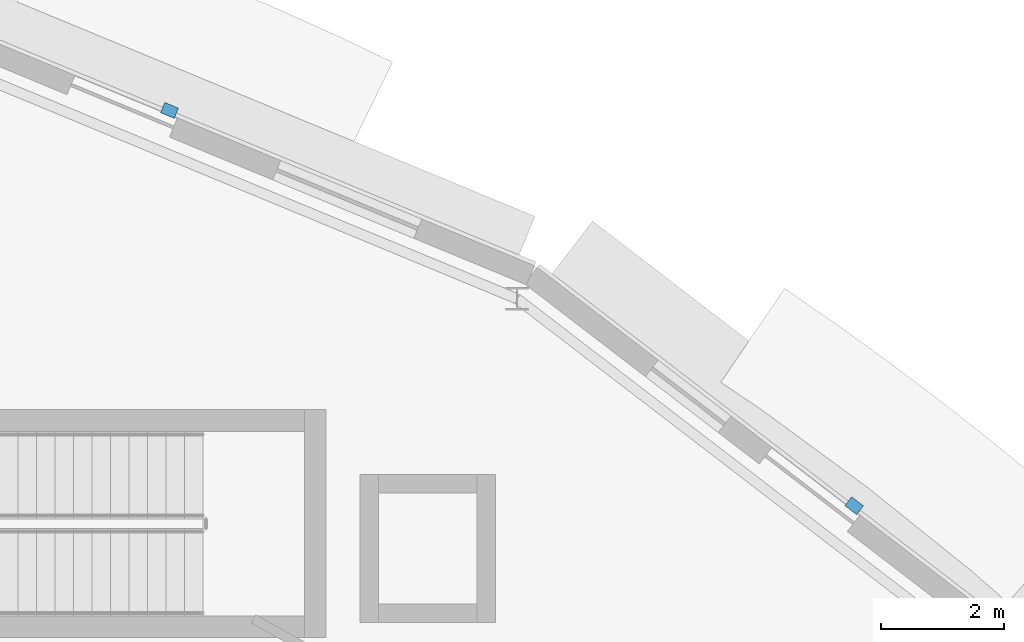
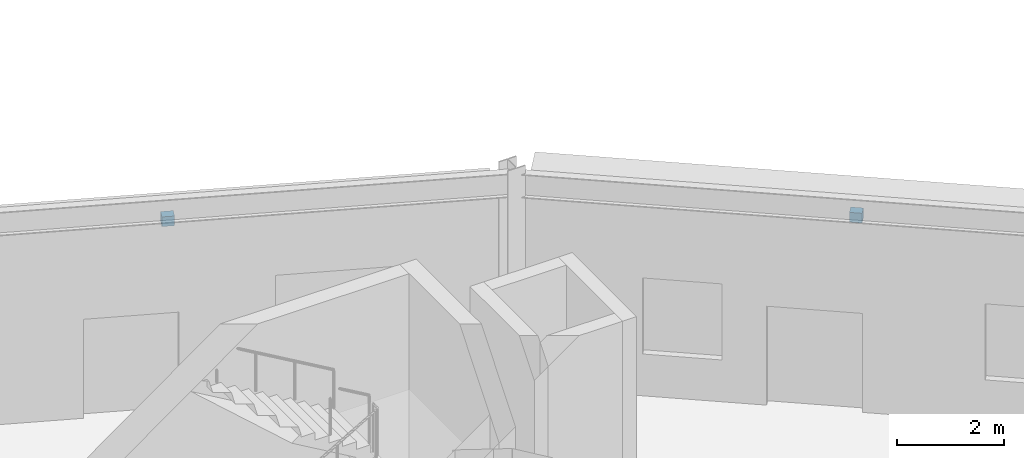
# One storey, part 138 of 168: 2 discrete accessories.
"""IFC4 building model written with IfcOpenShell, lengths in metres."""

from ifc_helpers import new_model, si_unit, direction, frame, origin, origin_2d, place, context, subcontext, project, spatial, rectangle, extrude, material, layer, layer_set, type_object, element, save


model = new_model("IFC4")

# Units and contexts
model_context = context("Model", 3, precision=1e-05, world=origin(), true_north=direction((0.0, 1.0)))
body_context = subcontext(model_context, "Body", "Model", "MODEL_VIEW")
ifc_project = project(units=[si_unit("LENGTHUNIT", "METRE"), si_unit("AREAUNIT", "SQUARE_METRE"), si_unit("VOLUMEUNIT", "CUBIC_METRE"), si_unit("PLANEANGLEUNIT", "RADIAN"), si_unit("MASSUNIT", "GRAM", prefix="KILO")], contexts=[model_context])

# Site, building, storey
site_placement = place(None, origin())
site = spatial("IfcSite", under=ifc_project, at=site_placement, CompositionType="ELEMENT")
building_placement = place(site_placement, origin())
building = spatial("IfcBuilding", under=site, at=building_placement, Name="Almandine Court Research Institute", CompositionType="ELEMENT")
storey_placement = place(building_placement, origin())
storey = spatial("IfcBuildingStorey", under=building, at=storey_placement, Name="L00", CompositionType="ELEMENT", Elevation=0.0)

# Discrete accessories
ifc_material = material(Name="Galvanised Steel Facade Outrigger Bracket", Category="steel")
ifc_layer = layer(ifc_material, 0.219970703125)
ifc_layer_set = layer_set([ifc_layer], Name="Galvanised Steel Facade Outrigger Bracket")
discrete_accessory_type = type_object("IfcDiscreteAccessoryType", Name="Acc-CHJ-BRACKET", PredefinedType="BRACKET", material=ifc_layer_set)
for number, where, z_axis, x_axis, name in (
    (1, (116.919921875, 94.990966796875, 4.0859375), (0.0, 0.0, 1.0), (0.793353340291, -0.608761429009, 0.0), "L00 Chhajja Outrigger Bracket 178"),
    (2, (105.80908203125, 101.406982421875, 4.0029296875), (0.0, 0.0, 1.0), (0.923879532511, -0.382683432365, 0.0), "L00 Chhajja Outrigger Bracket 179"),
):
    element("IfcDiscreteAccessory", number, at=place(storey_placement, frame(where, z_axis=z_axis, x_axis=x_axis)), inside=storey, type_object=discrete_accessory_type, Name=name, PredefinedType="BRACKET", context=body_context, shape_type="SweptSolid", body=[
        extrude(rectangle(XDim=0.239990234375, YDim=0.179931640625, at=origin_2d()), origin(), (0.0, 0.0, 1.0), 0.219970703125),
    ])

save(model, "model.ifc")
